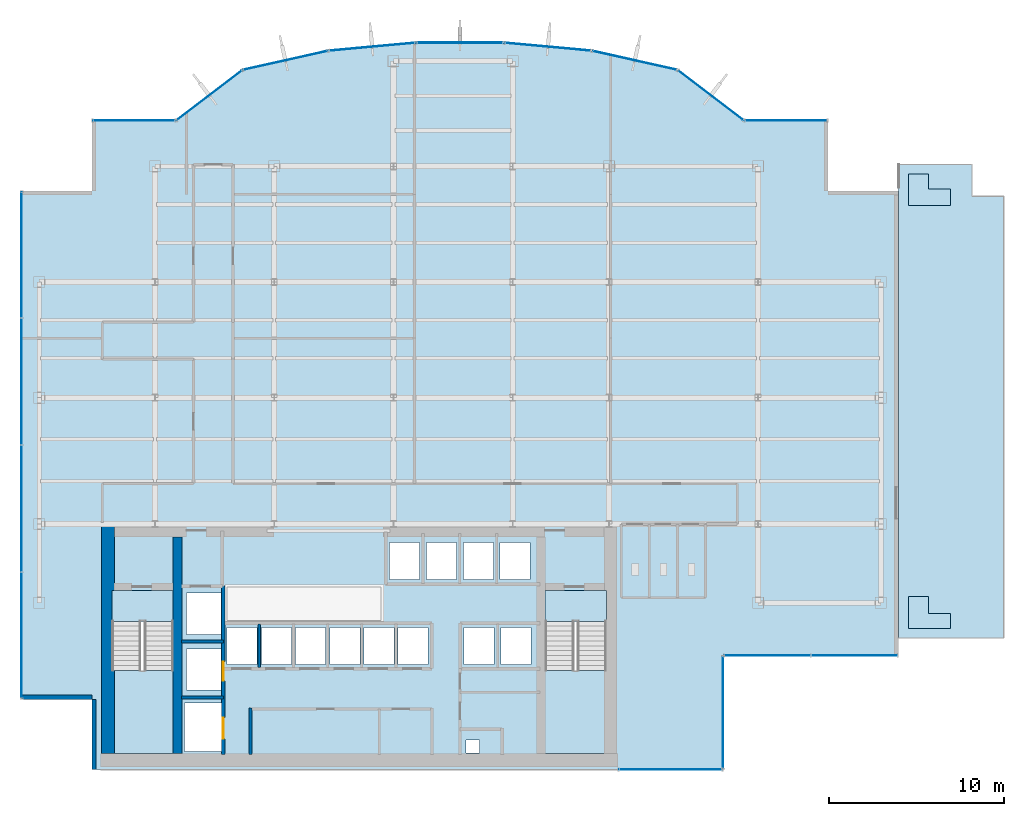
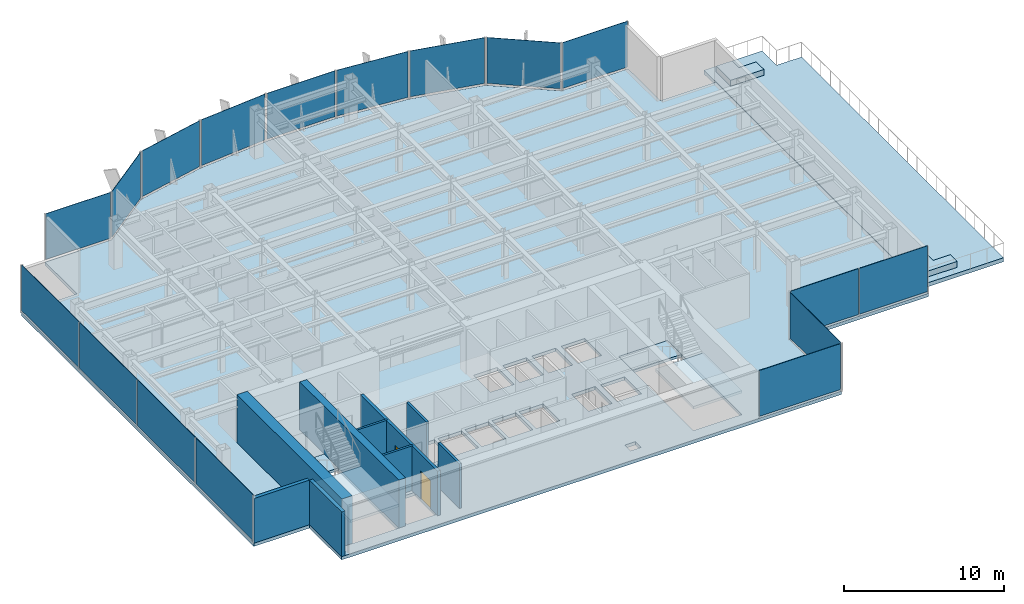
# One storey, part 17 of 23: 17 plates, 9 walls, 8 slabs, 2 doors, 2 openings, 15 elements without a shape of their own.
"""IFC4 building model written with IfcOpenShell, lengths in metres."""

from ifc_helpers import new_model, si_unit, derived_unit, direction, frame, frame_2d, origin, origin_2d, place, context, subcontext, project, spatial, polyline, rectangle, outline, extrude, source, transform, mapped, material, layer, layer_set, type_object, element, fill, aggregate, save


model = new_model("IFC4")

# Units and contexts
model_context = context("Model", 3, precision=1e-05, world=origin(), true_north=direction((0.0, 1.0)))
body_context = subcontext(model_context, "Body", "Model", "MODEL_VIEW")
ifc_project = project(units=[si_unit("LENGTHUNIT", "METRE"), si_unit("AREAUNIT", "SQUARE_METRE"), si_unit("VOLUMEUNIT", "CUBIC_METRE"), si_unit("PLANEANGLEUNIT", "RADIAN"), si_unit("MASSUNIT", "GRAM", prefix="KILO"), derived_unit("THERMALTRANSMITTANCEUNIT", [(si_unit("POWERUNIT", "WATT"), 1), (si_unit("LENGTHUNIT", "METRE"), -2), (si_unit("THERMODYNAMICTEMPERATUREUNIT", "KELVIN"), -1)])], contexts=[model_context])

# Site, building, storey
site_placement = place(None, origin())
site = spatial("IfcSite", under=ifc_project, at=site_placement, CompositionType="ELEMENT")
building_placement = place(site_placement, origin())
building = spatial("IfcBuilding", under=site, at=building_placement, Name="Skarnbrae Concourse Arena and Tower", CompositionType="ELEMENT")
storey_placement = place(building_placement, frame((0.0, 0.0, 140.60009765625)))
storey = spatial("IfcBuildingStorey", under=building, at=storey_placement, Name="L35", CompositionType="ELEMENT", Elevation=140.60009765625)

# Stair, slab
ifc_material_1 = material(Name="Concrete 40 MPa (C40/50)", Category="concrete")
stair_type = type_object("IfcStairType", Name="STAIR-DOGLEG-1650", PredefinedType="HALF_TURN_STAIR", material=ifc_material_1)
stair_1_placement = place(storey_placement, origin())
stair_1 = element("IfcStair", 1, at=stair_1_placement, inside=storey, type_object=stair_type, Name="L35 Protected Exit Stair ST-1", PredefinedType="HALF_TURN_STAIR")
ifc_layer_1 = layer(ifc_material_1, 0.199951171875)
ifc_layer_set_1 = layer_set([ifc_layer_1], Name="Concrete 40 MPa (C40/50)")
slab_type_1 = type_object("IfcSlabType", Name="SLAB-LANDING-200", PredefinedType="LANDING", material=ifc_layer_set_1)
slab_1_placement = place(storey_placement, frame((0.0, 0.0, 1.625)))
slab_1 = element("IfcSlab", 2, at=slab_1_placement, type_object=slab_type_1, Name="ST-1 landing 1", PredefinedType="LANDING", context=body_context, shape_type="SweptSolid", body=[
    extrude(outline(polyline([(5.14990234375, 5.64990234375), (5.14990234375, 0.89990234375), (8.64990234375, 0.89990234375), (8.64990234375, 5.64990234375), (5.14990234375, 5.64990234375)])), origin(), (0.0, 0.0, 1.0), 0.199951171875),
])
aggregate(stair_1, [slab_1])

stair_2_placement = place(storey_placement, origin())
stair_2 = element("IfcStair", 3, at=stair_2_placement, inside=storey, type_object=stair_type, Name="L35 Protected Exit Stair ST-2", PredefinedType="HALF_TURN_STAIR")
slab_2_placement = place(storey_placement, frame((0.0, 0.0, 1.625)))
slab_2 = element("IfcSlab", 4, at=slab_2_placement, type_object=slab_type_1, Name="ST-2 landing 1", PredefinedType="LANDING", context=body_context, shape_type="SweptSolid", body=[
    extrude(outline(polyline([(29.85009765625, 5.64990234375), (29.85009765625, 0.89990234375), (33.35009765625, 0.89990234375), (33.35009765625, 5.64990234375), (29.85009765625, 5.64990234375)])), origin(), (0.0, 0.0, 1.0), 0.199951171875),
])
aggregate(stair_2, [slab_2])

# Slabs
slab_3_placement = place(storey_placement, frame((0.0, 0.0, -0.2001953125)))
element("IfcSlab", 5, at=slab_3_placement, inside=storey, type_object=slab_type_1, Name="L35 Core stair ST1 floor landing", PredefinedType="LANDING", context=body_context, shape_type="SweptSolid", body=[
    extrude(outline(polyline([(5.14990234375, 10.199951171875), (5.14990234375, 8.449951171875), (8.64990234375, 8.449951171875), (8.64990234375, 10.199951171875), (5.14990234375, 10.199951171875)])), origin(), (0.0, 0.0, 1.0), 0.2001953125),
])
slab_4_placement = place(storey_placement, frame((0.0, 0.0, -0.2001953125)))
element("IfcSlab", 6, at=slab_4_placement, inside=storey, type_object=slab_type_1, Name="L35 Core stair ST2 floor landing", PredefinedType="LANDING", context=body_context, shape_type="SweptSolid", body=[
    extrude(outline(polyline([(29.85009765625, 10.199951171875), (29.85009765625, 8.449951171875), (33.35009765625, 8.449951171875), (33.35009765625, 10.199951171875), (29.85009765625, 10.199951171875)])), origin(), (0.0, 0.0, 1.0), 0.2001953125),
])
ifc_layer_2 = layer(ifc_material_1, 0.449951171875)
ifc_layer_set_2 = layer_set([ifc_layer_2], Name="Concrete 40 MPa (C40/50)")
slab_type_2 = type_object("IfcSlabType", Name="SLAB-PLANTER-450", PredefinedType="USERDEFINED", material=ifc_layer_set_2)
slab_5_placement = place(storey_placement, origin())
element("IfcSlab", 7, at=slab_5_placement, inside=storey, type_object=slab_type_2, Name="L35 Setback terrace L-shaped planter bed 01", ObjectType="PLANTER", PredefinedType="USERDEFINED", context=body_context, shape_type="SweptSolid", body=[
    extrude(outline(polyline([(50.570068359375, 8.050048828125), (52.969970703125, 8.050048828125), (52.969970703125, 8.89990234375), (51.719970703125, 8.89990234375), (51.719970703125, 9.85009765625), (50.570068359375, 9.85009765625), (50.570068359375, 8.050048828125)])), origin(), (0.0, 0.0, 1.0), 0.449951171875),
])
slab_6_placement = place(storey_placement, origin())
element("IfcSlab", 8, at=slab_6_placement, inside=storey, type_object=slab_type_2, Name="L35 Setback terrace L-shaped planter bed 02", ObjectType="PLANTER", PredefinedType="USERDEFINED", context=body_context, shape_type="SweptSolid", body=[
    extrude(outline(polyline([(50.570068359375, 32.14990234375), (52.969970703125, 32.14990234375), (52.969970703125, 33.10009765625), (51.719970703125, 33.10009765625), (51.719970703125, 33.949951171875), (50.570068359375, 33.949951171875), (50.570068359375, 32.14990234375)])), origin(), (0.0, 0.0, 1.0), 0.449951171875),
])
ifc_layer_3 = layer(ifc_material_1, 0.300048828125)
ifc_layer_set_3 = layer_set([ifc_layer_3], Name="Concrete 40 MPa (C40/50)")
slab_type_3 = type_object("IfcSlabType", Name="SLAB-TERRACE-300", PredefinedType="FLOOR", material=ifc_layer_set_3)
slab_7_placement = place(storey_placement, frame((0.0, 0.0, -0.300048828125)))
element("IfcSlab", 9, at=slab_7_placement, inside=storey, type_object=slab_type_3, Name="L35 Outdoor asymmetric setback terrace slab", PredefinedType="FLOOR", context=body_context, shape_type="SweptSolid", body=[
    extrude(outline(polyline([(50.02001953125, 7.5), (56.0, 7.5), (56.0, 32.699951171875), (54.199951171875, 32.699951171875), (54.199951171875, 34.5), (50.02001953125, 34.5), (50.02001953125, 7.5)])), origin(), (0.0, 0.0, 1.0), 0.300048828125),
])
ifc_layer_4 = layer(ifc_material_1, 0.25)
ifc_layer_set_4 = layer_set([ifc_layer_4], Name="Concrete 40 MPa (C40/50)")
slab_type_4 = type_object("IfcSlabType", Name="SLAB-TOWER-250", PredefinedType="FLOOR", material=ifc_layer_set_4)
slab_8_placement = place(storey_placement, frame((0.0, 0.0, -0.25)))
element("IfcSlab", 10, at=slab_8_placement, inside=storey, type_object=slab_type_4, Name="L35 Structural floor slab", PredefinedType="FLOOR", context=body_context, shape_type="SweptSolid", body=[
    extrude(outline(polyline([(4.0, 0.0), (40.0, 0.0), (40.0, 6.5), (50.0, 6.5), (50.0, 33.0), (46.0, 33.0), (46.0, 37.0), (41.199951171875, 37.0), (37.409423828125, 39.892578125), (32.51220703125, 40.98681640625), (27.51123046875, 41.445556640625), (22.48876953125, 41.445556640625), (17.48779296875, 40.98681640625), (12.590576171875, 39.892578125), (8.800048828125, 37.0), (4.0, 37.0), (4.0, 33.0), (0.0, 33.0), (0.0, 4.0), (4.0, 4.0), (4.0, 0.0)]), holes=[polyline([(9.294921875, 3.780029296875), (11.455078125, 3.780029296875), (11.455078125, 1.02001953125), (9.294921875, 1.02001953125), (9.294921875, 3.780029296875)]), polyline([(8.64990234375, 10.199951171875), (8.64990234375, 0.89990234375), (5.14990234375, 0.89990234375), (5.14990234375, 10.199951171875), (8.64990234375, 10.199951171875)]), polyline([(9.39501953125, 6.8798828125), (11.35498046875, 6.8798828125), (11.35498046875, 4.52001953125), (9.39501953125, 4.52001953125), (9.39501953125, 6.8798828125)]), polyline([(11.719970703125, 8.10498046875), (13.429931640625, 8.10498046875), (13.429931640625, 5.9951171875), (11.719970703125, 5.9951171875), (11.719970703125, 8.10498046875)]), polyline([(13.669921875, 8.10498046875), (15.3798828125, 8.10498046875), (15.3798828125, 5.9951171875), (13.669921875, 5.9951171875), (13.669921875, 8.10498046875)]), polyline([(15.6201171875, 8.10498046875), (17.330078125, 8.10498046875), (17.330078125, 5.9951171875), (15.6201171875, 5.9951171875), (15.6201171875, 8.10498046875)]), polyline([(17.570068359375, 8.10498046875), (19.280029296875, 8.10498046875), (19.280029296875, 5.9951171875), (17.570068359375, 5.9951171875), (17.570068359375, 8.10498046875)]), polyline([(21.22998046875, 8.10498046875), (21.22998046875, 5.9951171875), (19.52001953125, 5.9951171875), (19.52001953125, 8.10498046875), (21.22998046875, 8.10498046875)]), polyline([(11.35498046875, 10.054931640625), (11.35498046875, 7.695068359375), (9.39501953125, 7.695068359375), (9.39501953125, 10.054931640625), (11.35498046875, 10.054931640625)]), polyline([(25.35009765625, 1.669921875), (26.1201171875, 1.669921875), (26.1201171875, 0.949951171875), (25.35009765625, 0.949951171875), (25.35009765625, 1.669921875)]), polyline([(33.35009765625, 10.199951171875), (33.35009765625, 0.89990234375), (29.85009765625, 0.89990234375), (29.85009765625, 10.199951171875), (33.35009765625, 10.199951171875)]), polyline([(21.469970703125, 8.10498046875), (23.179931640625, 8.10498046875), (23.179931640625, 5.9951171875), (21.469970703125, 5.9951171875), (21.469970703125, 8.10498046875)]), polyline([(25.235107421875, 8.10498046875), (26.945068359375, 8.10498046875), (26.945068359375, 5.9951171875), (25.235107421875, 5.9951171875), (25.235107421875, 8.10498046875)]), polyline([(27.3349609375, 8.10498046875), (29.044921875, 8.10498046875), (29.044921875, 5.9951171875), (27.3349609375, 5.9951171875), (27.3349609375, 8.10498046875)]), polyline([(20.985107421875, 12.955078125), (22.695068359375, 12.955078125), (22.695068359375, 10.844970703125), (20.985107421875, 10.844970703125), (20.985107421875, 12.955078125)]), polyline([(23.0849609375, 12.955078125), (24.794921875, 12.955078125), (24.794921875, 10.844970703125), (23.0849609375, 10.844970703125), (23.0849609375, 12.955078125)]), polyline([(26.89501953125, 12.955078125), (26.89501953125, 10.844970703125), (25.18505859375, 10.844970703125), (25.18505859375, 12.955078125), (26.89501953125, 12.955078125)]), polyline([(28.9951171875, 12.955078125), (28.9951171875, 10.844970703125), (27.284912109375, 10.844970703125), (27.284912109375, 12.955078125), (28.9951171875, 12.955078125)])]), origin(), (0.0, 0.0, 1.0), 0.25),
])

# Curtain wall, plates
ifc_material_2 = material(Name="Bronze anodised aluminium 6063-T6", Category="aluminium")
curtain_wall_type = type_object("IfcCurtainWallType", Name="CW-SYS-04-MIDZONE", PredefinedType="USERDEFINED", material=ifc_material_2)
curtain_wall_1_placement = place(storey_placement, origin())
curtain_wall_1 = element("IfcCurtainWall", 11, at=curtain_wall_1_placement, inside=storey, type_object=curtain_wall_type, Name="L35 Unitised curtain wall CW-L35-E03", ObjectType="UNITISED CURTAIN WALL", PredefinedType="USERDEFINED")
ifc_material_3 = material(Name="Low-E triple insulating glass", Category="glass")
ifc_layer_5 = layer(ifc_material_3, 0.031982421875)
ifc_layer_set_5 = layer_set([ifc_layer_5], Name="Low-E triple insulating glass")
plate_type = type_object("IfcPlateType", Name="CWP-CW-04", PredefinedType="CURTAIN_PANEL", material=ifc_layer_set_5)
shared_shape_1 = source(origin(), body_context, "Body", "SweptSolid", [
    extrude(rectangle(XDim=4.887451171875, YDim=0.031982421875, at=origin_2d()), origin(), (0.0, 0.0, 1.0), 3.489990234375),
])
plate_1_placement = place(storey_placement, frame((42.518798828125, 6.5, 0.15966796875), z_axis=(0.0, 0.0, 1.0), x_axis=(1.0, 0.0, 0.0)))
plate_1 = element("IfcPlate", 12, at=plate_1_placement, type_object=plate_type, Name="CW-L35-E03 Low-E Glazing Panel 1", PredefinedType="CURTAIN_PANEL", context=body_context, shape_type="MappedRepresentation", body=[
    mapped(shared_shape_1, transform((0.0, 0.0, 0.0))),
])
plate_2_placement = place(storey_placement, frame((47.481201171875, 6.5, 0.15966796875), z_axis=(0.0, 0.0, 1.0), x_axis=(1.0, 0.0, 0.0)))
plate_2 = element("IfcPlate", 13, at=plate_2_placement, type_object=plate_type, Name="CW-L35-E03 Low-E Glazing Panel 2", PredefinedType="CURTAIN_PANEL", context=body_context, shape_type="MappedRepresentation", body=[
    mapped(shared_shape_1, transform((0.0, 0.0, 0.0))),
])
aggregate(curtain_wall_1, [plate_1, plate_2])

# Curtain wall, plate
curtain_wall_2_placement = place(storey_placement, origin())
curtain_wall_2 = element("IfcCurtainWall", 14, at=curtain_wall_2_placement, inside=storey, type_object=curtain_wall_type, Name="L35 Unitised curtain wall CW-L35-SE-SPINE", ObjectType="UNITISED CURTAIN WALL", PredefinedType="USERDEFINED")
shared_shape_2 = source(origin(), body_context, "Body", "SweptSolid", [
    extrude(rectangle(XDim=5.85009765625, YDim=0.031982421875, at=origin_2d()), origin(), (0.0, 0.0, 1.0), 3.489990234375),
])
plate_3_placement = place(storey_placement, frame((37.0, 0.0, 0.15966796875), z_axis=(0.0, 0.0, 1.0), x_axis=(1.0, 0.0, 0.0)))
plate_3 = element("IfcPlate", 15, at=plate_3_placement, type_object=plate_type, Name="CW-L35-SE-SPINE Low-E Glazing Panel 1", PredefinedType="CURTAIN_PANEL", context=body_context, shape_type="MappedRepresentation", body=[
    mapped(shared_shape_2, transform((0.0, 0.0, 0.0))),
])
aggregate(curtain_wall_2, [plate_3])

curtain_wall_3_placement = place(storey_placement, origin())
curtain_wall_3 = element("IfcCurtainWall", 16, at=curtain_wall_3_placement, inside=storey, type_object=curtain_wall_type, Name="L35 Unitised curtain wall CW-L35-E02", ObjectType="UNITISED CURTAIN WALL", PredefinedType="USERDEFINED")
shared_shape_3 = source(origin(), body_context, "Body", "SweptSolid", [
    extrude(rectangle(XDim=6.35009765625, YDim=0.031982421875, at=origin_2d()), origin(), (0.0, 0.0, 1.0), 3.489990234375),
])
plate_4_placement = place(storey_placement, frame((40.0, 3.25, 0.15966796875), z_axis=(0.0, 0.0, 1.0), x_axis=(0.0, 1.0, 0.0)))
plate_4 = element("IfcPlate", 17, at=plate_4_placement, type_object=plate_type, Name="CW-L35-E02 Low-E Glazing Panel 1", PredefinedType="CURTAIN_PANEL", context=body_context, shape_type="MappedRepresentation", body=[
    mapped(shared_shape_3, transform((0.0, 0.0, 0.0))),
])
aggregate(curtain_wall_3, [plate_4])

curtain_wall_4_placement = place(storey_placement, origin())
curtain_wall_4 = element("IfcCurtainWall", 18, at=curtain_wall_4_placement, inside=storey, type_object=curtain_wall_type, Name="L35 Unitised curtain wall CW-L35-E07", ObjectType="UNITISED CURTAIN WALL", PredefinedType="USERDEFINED")
shared_shape_4 = source(origin(), body_context, "Body", "SweptSolid", [
    extrude(rectangle(XDim=4.64990234375, YDim=0.031982421875, at=origin_2d()), origin(), (0.0, 0.0, 1.0), 3.489990234375),
])
plate_5_placement = place(storey_placement, frame((43.60009765625, 37.0, 0.15966796875), z_axis=(0.0, 0.0, 1.0), x_axis=(-1.0, 0.0, 0.0)))
plate_5 = element("IfcPlate", 19, at=plate_5_placement, type_object=plate_type, Name="CW-L35-E07 Low-E Glazing Panel 1", PredefinedType="CURTAIN_PANEL", context=body_context, shape_type="MappedRepresentation", body=[
    mapped(shared_shape_4, transform((0.0, 0.0, 0.0))),
])
aggregate(curtain_wall_4, [plate_5])

curtain_wall_5_placement = place(storey_placement, origin())
curtain_wall_5 = element("IfcCurtainWall", 20, at=curtain_wall_5_placement, inside=storey, type_object=curtain_wall_type, Name="L35 Unitised curtain wall CW-L35-E15", ObjectType="UNITISED CURTAIN WALL", PredefinedType="USERDEFINED")
plate_6_placement = place(storey_placement, frame((6.39990234375, 37.0, 0.15966796875), z_axis=(0.0, 0.0, 1.0), x_axis=(-1.0, 0.0, 0.0)))
plate_6 = element("IfcPlate", 21, at=plate_6_placement, type_object=plate_type, Name="CW-L35-E15 Low-E Glazing Panel 1", PredefinedType="CURTAIN_PANEL", context=body_context, shape_type="MappedRepresentation", body=[
    mapped(shared_shape_4, transform((0.0, 0.0, 0.0))),
])
aggregate(curtain_wall_5, [plate_6])

curtain_wall_6_placement = place(storey_placement, origin())
curtain_wall_6 = element("IfcCurtainWall", 22, at=curtain_wall_6_placement, inside=storey, type_object=curtain_wall_type, Name="L35 Unitised curtain wall CW-L35-E08", ObjectType="UNITISED CURTAIN WALL", PredefinedType="USERDEFINED")
shared_shape_5 = source(origin(), body_context, "Body", "SweptSolid", [
    extrude(rectangle(XDim=4.6181640625, YDim=0.031982421875, at=origin_2d()), origin(), (0.0, 0.0, 1.0), 3.489990234375),
])
plate_7_placement = place(storey_placement, frame((39.3046875, 38.4462890625, 0.15966796875), z_axis=(0.0, 0.0, 1.0), x_axis=(-0.794956000706, 0.606667089054, 0.0)))
plate_7 = element("IfcPlate", 23, at=plate_7_placement, type_object=plate_type, Name="CW-L35-E08 Low-E Glazing Panel 1", PredefinedType="CURTAIN_PANEL", context=body_context, shape_type="MappedRepresentation", body=[
    mapped(shared_shape_5, transform((0.0, 0.0, 0.0))),
])
aggregate(curtain_wall_6, [plate_7])

curtain_wall_7_placement = place(storey_placement, origin())
curtain_wall_7 = element("IfcCurtainWall", 24, at=curtain_wall_7_placement, inside=storey, type_object=curtain_wall_type, Name="L35 Unitised curtain wall CW-L35-E14", ObjectType="UNITISED CURTAIN WALL", PredefinedType="USERDEFINED")
plate_8_placement = place(storey_placement, frame((10.6953125, 38.4462890625, 0.15966796875), z_axis=(0.0, 0.0, 1.0), x_axis=(-0.794956000706, -0.606667089054, 0.0)))
plate_8 = element("IfcPlate", 25, at=plate_8_placement, type_object=plate_type, Name="CW-L35-E14 Low-E Glazing Panel 1", PredefinedType="CURTAIN_PANEL", context=body_context, shape_type="MappedRepresentation", body=[
    mapped(shared_shape_5, transform((0.0, 0.0, 0.0))),
])
aggregate(curtain_wall_7, [plate_8])

curtain_wall_8_placement = place(storey_placement, origin())
curtain_wall_8 = element("IfcCurtainWall", 26, at=curtain_wall_8_placement, inside=storey, type_object=curtain_wall_type, Name="L35 Unitised curtain wall CW-L35-E09", ObjectType="UNITISED CURTAIN WALL", PredefinedType="USERDEFINED")
shared_shape_6 = source(origin(), body_context, "Body", "SweptSolid", [
    extrude(rectangle(XDim=4.867919921875, YDim=0.031982421875, at=origin_2d()), origin(), (0.0, 0.0, 1.0), 3.489990234375),
])
plate_9_placement = place(storey_placement, frame((34.9609375, 40.439697265625, 0.15966796875), z_axis=(0.0, 0.0, 1.0), x_axis=(-0.975936175393, 0.218056372433, 0.0)))
plate_9 = element("IfcPlate", 27, at=plate_9_placement, type_object=plate_type, Name="CW-L35-E09 Low-E Glazing Panel 1", PredefinedType="CURTAIN_PANEL", context=body_context, shape_type="MappedRepresentation", body=[
    mapped(shared_shape_6, transform((0.0, 0.0, 0.0))),
])
aggregate(curtain_wall_8, [plate_9])

curtain_wall_9_placement = place(storey_placement, origin())
curtain_wall_9 = element("IfcCurtainWall", 28, at=curtain_wall_9_placement, inside=storey, type_object=curtain_wall_type, Name="L35 Unitised curtain wall CW-L35-E13", ObjectType="UNITISED CURTAIN WALL", PredefinedType="USERDEFINED")
plate_10_placement = place(storey_placement, frame((15.0390625, 40.439697265625, 0.15966796875), z_axis=(0.0, 0.0, 1.0), x_axis=(-0.975936175393, -0.218056372433, 0.0)))
plate_10 = element("IfcPlate", 29, at=plate_10_placement, type_object=plate_type, Name="CW-L35-E13 Low-E Glazing Panel 1", PredefinedType="CURTAIN_PANEL", context=body_context, shape_type="MappedRepresentation", body=[
    mapped(shared_shape_6, transform((0.0, 0.0, 0.0))),
])
aggregate(curtain_wall_9, [plate_10])

curtain_wall_10_placement = place(storey_placement, origin())
curtain_wall_10 = element("IfcCurtainWall", 30, at=curtain_wall_10_placement, inside=storey, type_object=curtain_wall_type, Name="L35 Unitised curtain wall CW-L35-E10", ObjectType="UNITISED CURTAIN WALL", PredefinedType="USERDEFINED")
shared_shape_7 = source(origin(), body_context, "Body", "SweptSolid", [
    extrude(rectangle(XDim=4.8720703125, YDim=0.031982421875, at=origin_2d()), origin(), (0.0, 0.0, 1.0), 3.489990234375),
])
plate_11_placement = place(storey_placement, frame((30.01171875, 41.21630859375, 0.15966796875), z_axis=(0.0, 0.0, 1.0), x_axis=(-0.995819926016, 0.091338244731, 0.0)))
plate_11 = element("IfcPlate", 31, at=plate_11_placement, type_object=plate_type, Name="CW-L35-E10 Low-E Glazing Panel 1", PredefinedType="CURTAIN_PANEL", context=body_context, shape_type="MappedRepresentation", body=[
    mapped(shared_shape_7, transform((0.0, 0.0, 0.0))),
])
aggregate(curtain_wall_10, [plate_11])

curtain_wall_11_placement = place(storey_placement, origin())
curtain_wall_11 = element("IfcCurtainWall", 32, at=curtain_wall_11_placement, inside=storey, type_object=curtain_wall_type, Name="L35 Unitised curtain wall CW-L35-E12", ObjectType="UNITISED CURTAIN WALL", PredefinedType="USERDEFINED")
plate_12_placement = place(storey_placement, frame((19.98828125, 41.21630859375, 0.15966796875), z_axis=(0.0, 0.0, 1.0), x_axis=(-0.995819926016, -0.091338244731, 0.0)))
plate_12 = element("IfcPlate", 33, at=plate_12_placement, type_object=plate_type, Name="CW-L35-E12 Low-E Glazing Panel 1", PredefinedType="CURTAIN_PANEL", context=body_context, shape_type="MappedRepresentation", body=[
    mapped(shared_shape_7, transform((0.0, 0.0, 0.0))),
])
aggregate(curtain_wall_11, [plate_12])

curtain_wall_12_placement = place(storey_placement, origin())
curtain_wall_12 = element("IfcCurtainWall", 34, at=curtain_wall_12_placement, inside=storey, type_object=curtain_wall_type, Name="L35 Unitised curtain wall CW-L35-E11", ObjectType="UNITISED CURTAIN WALL", PredefinedType="USERDEFINED")
shared_shape_8 = source(origin(), body_context, "Body", "SweptSolid", [
    extrude(rectangle(XDim=4.87255859375, YDim=0.031982421875, at=origin_2d()), origin(), (0.0, 0.0, 1.0), 3.489990234375),
])
plate_13_placement = place(storey_placement, frame((25.0, 41.445556640625, 0.15966796875), z_axis=(0.0, 0.0, 1.0), x_axis=(-1.0, 0.0, 0.0)))
plate_13 = element("IfcPlate", 35, at=plate_13_placement, type_object=plate_type, Name="CW-L35-E11 Low-E Glazing Panel 1", PredefinedType="CURTAIN_PANEL", context=body_context, shape_type="MappedRepresentation", body=[
    mapped(shared_shape_8, transform((0.0, 0.0, 0.0))),
])
aggregate(curtain_wall_12, [plate_13])

# Curtain wall, plates
curtain_wall_13_placement = place(storey_placement, origin())
curtain_wall_13 = element("IfcCurtainWall", 36, at=curtain_wall_13_placement, inside=storey, type_object=curtain_wall_type, Name="L35 Unitised curtain wall CW-L35-E18", ObjectType="UNITISED CURTAIN WALL", PredefinedType="USERDEFINED")
shared_shape_9 = source(origin(), body_context, "Body", "SweptSolid", [
    extrude(rectangle(XDim=7.137451171875, YDim=0.031982421875, at=origin_2d()), origin(), (0.0, 0.0, 1.0), 3.489990234375),
])
plate_14_placement = place(storey_placement, frame((0.0, 29.356201171875, 0.15966796875), z_axis=(0.0, 0.0, 1.0), x_axis=(0.0, -1.0, 0.0)))
plate_14 = element("IfcPlate", 37, at=plate_14_placement, type_object=plate_type, Name="CW-L35-E18 Low-E Glazing Panel 1", PredefinedType="CURTAIN_PANEL", context=body_context, shape_type="MappedRepresentation", body=[
    mapped(shared_shape_9, transform((0.0, 0.0, 0.0))),
])
plate_15_placement = place(storey_placement, frame((0.0, 7.643798828125, 0.15966796875), z_axis=(0.0, 0.0, 1.0), x_axis=(0.0, -1.0, 0.0)))
plate_15 = element("IfcPlate", 38, at=plate_15_placement, type_object=plate_type, Name="CW-L35-E18 Low-E Glazing Panel 4", PredefinedType="CURTAIN_PANEL", context=body_context, shape_type="MappedRepresentation", body=[
    mapped(shared_shape_9, transform((0.0, 0.0, 0.0))),
])
shared_shape_10 = source(origin(), body_context, "Body", "SweptSolid", [
    extrude(rectangle(XDim=7.175048828125, YDim=0.031982421875, at=origin_2d()), origin(), (0.0, 0.0, 1.0), 3.489990234375),
])
plate_16_placement = place(storey_placement, frame((0.0, 22.125, 0.15966796875), z_axis=(0.0, 0.0, 1.0), x_axis=(0.0, -1.0, 0.0)))
plate_16 = element("IfcPlate", 39, at=plate_16_placement, type_object=plate_type, Name="CW-L35-E18 Low-E Glazing Panel 2", PredefinedType="CURTAIN_PANEL", context=body_context, shape_type="MappedRepresentation", body=[
    mapped(shared_shape_10, transform((0.0, 0.0, 0.0))),
])
plate_17_placement = place(storey_placement, frame((0.0, 14.875, 0.15966796875), z_axis=(0.0, 0.0, 1.0), x_axis=(0.0, -1.0, 0.0)))
plate_17 = element("IfcPlate", 40, at=plate_17_placement, type_object=plate_type, Name="CW-L35-E18 Low-E Glazing Panel 3", PredefinedType="CURTAIN_PANEL", context=body_context, shape_type="MappedRepresentation", body=[
    mapped(shared_shape_10, transform((0.0, 0.0, 0.0))),
])
aggregate(curtain_wall_13, [plate_14, plate_16, plate_17, plate_15])

# Walls
ifc_material_4 = material(Name="Concrete 60 MPa (C60/75)", Category="concrete")
ifc_layer_6 = layer(ifc_material_4, 0.75)
ifc_layer_set_6 = layer_set([ifc_layer_6], Name="Concrete 60 MPa (C60/75)")
wall_type_1 = type_object("IfcWallType", Name="WALL-CORE-750-C60", PredefinedType="SHEAR", material=ifc_layer_set_6)
shared_shape_11 = source(origin(), body_context, "Body", "SweptSolid", [
    extrude(rectangle(XDim=13.10009765625, YDim=0.75, at=frame_2d((6.550048828125, 0.0))), origin(), (0.0, 0.0, 1.0), 3.64990234375),
])
wall_1_placement = place(storey_placement, frame((4.925048828125, 0.89990234375, 0.0), z_axis=(0.0, 0.0, 1.0), x_axis=(0.0, 1.0, 0.0)))
element("IfcWall", 41, at=wall_1_placement, inside=storey, type_object=wall_type_1, Name="L35 Rear core shear wall CW-W", PredefinedType="SHEAR", context=body_context, shape_type="MappedRepresentation", body=[
    mapped(shared_shape_11, transform((0.0, 0.0, 0.0))),
])
ifc_layer_7 = layer(ifc_material_4, 0.5)
ifc_layer_set_7 = layer_set([ifc_layer_7], Name="Concrete 60 MPa (C60/75)")
wall_type_2 = type_object("IfcWallType", Name="WALL-CORE-500-C60", PredefinedType="SHEAR", material=ifc_layer_set_7)
shared_shape_12 = source(origin(), body_context, "Body", "SweptSolid", [
    extrude(rectangle(XDim=12.35009765625, YDim=0.5, at=frame_2d((6.175048828125, 0.0))), origin(), (0.0, 0.0, 1.0), 3.64990234375),
])
wall_2_placement = place(storey_placement, frame((8.889892578125, 0.89990234375, 0.0), z_axis=(0.0, 0.0, 1.0), x_axis=(0.0, 1.0, 0.0)))
element("IfcWall", 42, at=wall_2_placement, inside=storey, type_object=wall_type_2, Name="L35 Rear core shear wall CW-WEB-W", PredefinedType="SHEAR", context=body_context, shape_type="MappedRepresentation", body=[
    mapped(shared_shape_12, transform((0.0, 0.0, 0.0))),
])
ifc_material_5 = material(Name="Precast concrete 40 MPa (C40/50)", Category="concrete")
ifc_layer_8 = layer(ifc_material_5, 0.25)
ifc_layer_set_8 = layer_set([ifc_layer_8], Name="Precast concrete 40 MPa (C40/50)")
wall_type_3 = type_object("IfcWallType", Name="WALL-EXT-SPANDREL-250", PredefinedType="STANDARD", material=ifc_layer_set_8)
shared_shape_13 = source(origin(), body_context, "Body", "SweptSolid", [
    extrude(rectangle(XDim=4.0, YDim=0.25, at=frame_2d((2.0, 0.0))), origin(), (0.0, 0.0, 1.0), 3.39990234375),
])
for number, where, z_axis, x_axis, name in (
    (43, (0.0, 4.125, 0.0), (0.0, 0.0, 1.0), (1.0, 0.0, 0.0), "L35 Notched corner insulated return wall 19"),
    (44, (4.125, 4.0, 0.0), (0.0, 0.0, 1.0), (0.0, -1.0, 0.0), "L35 Notched corner insulated return wall 20"),
):
    element("IfcWall", number, at=place(storey_placement, frame(where, z_axis=z_axis, x_axis=x_axis)), inside=storey, type_object=wall_type_3, Name=name, PredefinedType="STANDARD", context=body_context, shape_type="MappedRepresentation", body=[
        mapped(shared_shape_13, transform((0.0, 0.0, 0.0))),
    ])

# Wall, openings, doors
ifc_material_6 = material(Name="Gypsum board on cold-formed steel studs", Category="steel")
ifc_layer_9 = layer(ifc_material_6, 0.199951171875)
ifc_layer_set_9 = layer_set([ifc_layer_9], Name="Gypsum board on cold-formed steel studs")
wall_type_4 = type_object("IfcWallType", Name="WALL-PART-200-2HR", PredefinedType="PARTITIONING", material=ifc_layer_set_9)
shared_shape_14 = source(origin(), body_context, "Body", "SweptSolid", [
    extrude(rectangle(XDim=9.599853515625, YDim=0.199951171875, at=frame_2d((4.7998046875, 0.0))), origin(), (0.0, 0.0, 1.0), 3.39990234375),
])
wall_3_placement = place(storey_placement, frame((11.5, 0.85009765625, 0.0), z_axis=(0.0, 0.0, 1.0), x_axis=(0.0, 1.0, 0.0)))
wall_3 = element("IfcWall", 45, at=wall_3_placement, inside=storey, type_object=wall_type_4, Name="L35 Interior partition wall W-L35-FL-E", PredefinedType="PARTITIONING", context=body_context, shape_type="MappedRepresentation", body=[
    mapped(shared_shape_14, transform((0.0, 0.0, 0.0))),
])
opening_1_placement = place(wall_3_placement, frame((4.199951171875, 0.0, 0.0)))
opening_1 = element("IfcOpeningElement", 46, at=opening_1_placement, cuts=wall_3, Name="Opening LD-01", PredefinedType="OPENING", context=body_context, shape_type="SweptSolid", body=[
    extrude(rectangle(XDim=1.10009765625, YDim=2.14990234375, at=frame_2d((0.550048828125, 1.074951171875))), frame((0.0, 0.10986328125, 0.0), z_axis=(0.0, -1.0, 0.0), x_axis=(1.0, 0.0, 0.0)), (0.0, 0.0, 1.0), 0.219970703125),
])
opening_2_placement = place(wall_3_placement, frame((0.89990234375, 0.0, 0.0)))
opening_2 = element("IfcOpeningElement", 47, at=opening_2_placement, cuts=wall_3, Name="Opening LD-02", PredefinedType="OPENING", context=body_context, shape_type="SweptSolid", body=[
    extrude(rectangle(XDim=1.199951171875, YDim=2.14990234375, at=frame_2d((0.60009765625, 1.074951171875))), frame((0.0, 0.10986328125, 0.0), z_axis=(0.0, -1.0, 0.0), x_axis=(1.0, 0.0, 0.0)), (0.0, 0.0, 1.0), 0.219970703125),
])
ifc_material_7 = material(Name="Steel CSA G40.21 350W", Category="steel")
door_type_1 = type_object("IfcDoorType", Name="DOOR-LIFT-SLIDE-1100", OperationType="SLIDING_TO_LEFT", PredefinedType="DOOR", material=ifc_material_7)
shared_shape_15 = source(origin(), body_context, "Body", "SweptSolid", [
    extrude(rectangle(XDim=1.10009765625, YDim=2.14990234375, at=frame_2d((0.550048828125, 1.074951171875))), frame((0.0, 0.02490234375, 0.0), z_axis=(0.0, -1.0, 0.0), x_axis=(1.0, 0.0, 0.0)), (0.0, 0.0, 1.0), 0.050048828125),
])
door_1_placement = place(opening_1_placement, frame((1.10009765625, 0.0, 0.0), z_axis=(0.0, 0.0, 1.0), x_axis=(-1.0, 0.0, 0.0)))
door_1 = element("IfcDoor", 48, at=door_1_placement, inside=storey, type_object=door_type_1, Name="D-1100 Firefighting Lift Landing Door FL-02", OperationType="SLIDING_TO_LEFT", OverallHeight=2.14990234375, OverallWidth=1.10009765625, PredefinedType="DOOR", context=body_context, shape_type="MappedRepresentation", body=[
    mapped(shared_shape_15, transform((0.0, 0.0, 0.0))),
])
fill(opening_1, door_1)
door_type_2 = type_object("IfcDoorType", Name="DOOR-LIFT-SLIDE-1200", OperationType="SLIDING_TO_LEFT", PredefinedType="DOOR", material=ifc_material_7)
shared_shape_16 = source(origin(), body_context, "Body", "SweptSolid", [
    extrude(rectangle(XDim=1.199951171875, YDim=2.14990234375, at=frame_2d((0.60009765625, 1.074951171875))), frame((0.0, 0.02490234375, 0.0), z_axis=(0.0, -1.0, 0.0), x_axis=(1.0, 0.0, 0.0)), (0.0, 0.0, 1.0), 0.050048828125),
])
door_2_placement = place(opening_2_placement, frame((1.199951171875, 0.0, 0.0), z_axis=(0.0, 0.0, 1.0), x_axis=(-1.0, 0.0, 0.0)))
door_2 = element("IfcDoor", 49, at=door_2_placement, inside=storey, type_object=door_type_2, Name="D-1101 Service Lift Landing Door SV-01", OperationType="SLIDING_TO_LEFT", OverallHeight=2.14990234375, OverallWidth=1.199951171875, PredefinedType="DOOR", context=body_context, shape_type="MappedRepresentation", body=[
    mapped(shared_shape_16, transform((0.0, 0.0, 0.0))),
])
fill(opening_2, door_2)

# Walls
ifc_layer_10 = layer(ifc_material_6, 0.14990234375)
ifc_layer_set_10 = layer_set([ifc_layer_10], Name="Gypsum board on cold-formed steel studs")
wall_type_5 = type_object("IfcWallType", Name="WALL-PART-150", PredefinedType="PARTITIONING", material=ifc_layer_set_10)
shared_shape_17 = source(origin(), body_context, "Body", "SweptSolid", [
    extrude(rectangle(XDim=2.39990234375, YDim=0.14990234375, at=frame_2d((1.199951171875, 0.0))), origin(), (0.0, 0.0, 1.0), 3.39990234375),
])
for number, where, z_axis, x_axis, name in (
    (50, (9.10009765625, 4.10009765625, 0.0), (0.0, 0.0, 1.0), (1.0, 0.0, 0.0), "L35 Interior partition wall W-L35-FL-D1"),
    (51, (9.10009765625, 7.300048828125, 0.0), (0.0, 0.0, 1.0), (1.0, 0.0, 0.0), "L35 Interior partition wall W-L35-FL-D2"),
):
    element("IfcWall", number, at=place(storey_placement, frame(where, z_axis=z_axis, x_axis=x_axis)), inside=storey, type_object=wall_type_5, Name=name, PredefinedType="PARTITIONING", context=body_context, shape_type="MappedRepresentation", body=[
        mapped(shared_shape_17, transform((0.0, 0.0, 0.0))),
    ])
shared_shape_18 = source(origin(), body_context, "Body", "SweptSolid", [
    extrude(rectangle(XDim=2.5, YDim=0.14990234375, at=frame_2d((1.25, 0.0))), origin(), (0.0, 0.0, 1.0), 3.39990234375),
])
wall_4_placement = place(storey_placement, frame((13.550048828125, 5.800048828125, 0.0), z_axis=(0.0, 0.0, 1.0), x_axis=(0.0, 1.0, 0.0)))
element("IfcWall", 52, at=wall_4_placement, inside=storey, type_object=wall_type_5, Name="L35 Interior partition wall W-L35-B2-P1", PredefinedType="PARTITIONING", context=body_context, shape_type="MappedRepresentation", body=[
    mapped(shared_shape_18, transform((0.0, 0.0, 0.0))),
])
ifc_layer_11 = layer(ifc_material_6, 0.14990234375)
ifc_layer_set_11 = layer_set([ifc_layer_11], Name="Gypsum board on cold-formed steel studs")
wall_type_6 = type_object("IfcWallType", Name="WALL-PART-150-1HR", PredefinedType="PARTITIONING", material=ifc_layer_set_11)
shared_shape_19 = source(origin(), body_context, "Body", "SweptSolid", [
    extrude(rectangle(XDim=2.64990234375, YDim=0.14990234375, at=frame_2d((1.324951171875, 0.0))), origin(), (0.0, 0.0, 1.0), 3.39990234375),
])
wall_5_placement = place(storey_placement, frame((13.050048828125, 0.85009765625, 0.0), z_axis=(0.0, 0.0, 1.0), x_axis=(0.0, 1.0, 0.0)))
element("IfcWall", 53, at=wall_5_placement, inside=storey, type_object=wall_type_6, Name="L35 Interior partition wall W-L35-B1M-W", PredefinedType="PARTITIONING", context=body_context, shape_type="MappedRepresentation", body=[
    mapped(shared_shape_19, transform((0.0, 0.0, 0.0))),
])

save(model, "model.ifc")
